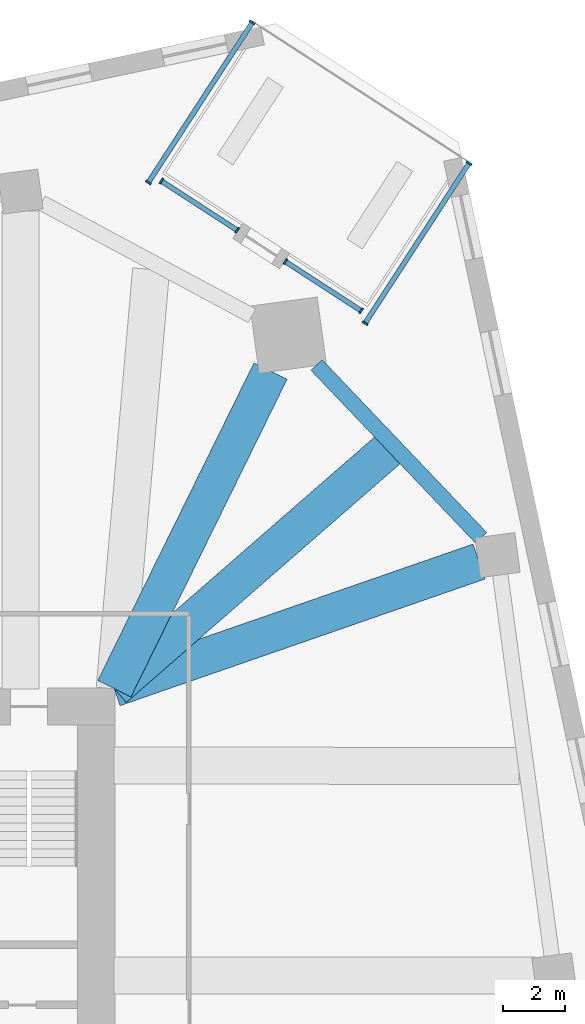
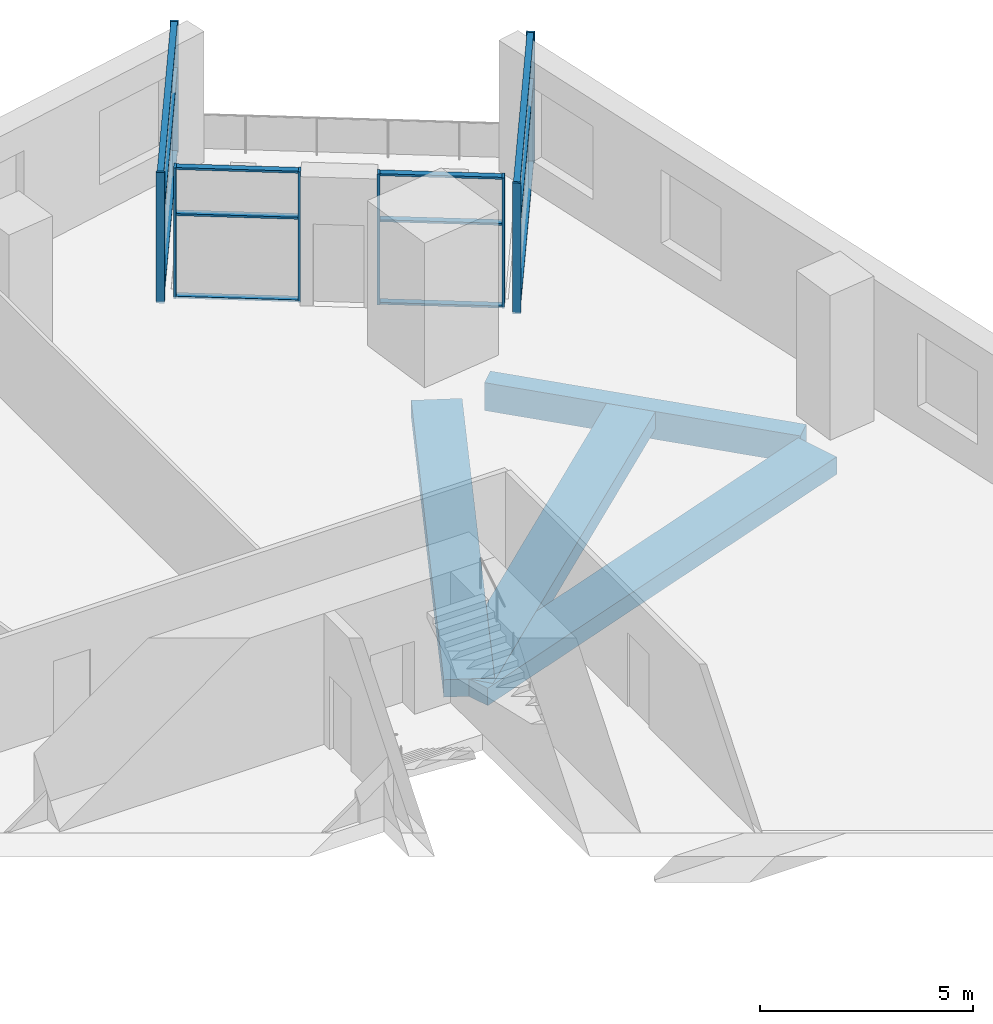
# One storey, part 2 of 10: 20 members, 4 beams, 4 elements without a shape of their own.
"""IFC4 building model written with IfcOpenShell, lengths in metres."""

from ifc_helpers import new_model, si_unit, direction, frame, origin, origin_2d, place, context, subcontext, project, spatial, rectangle, extrude, material, material_profile, profile_set, type_object, element, aggregate, save


model = new_model("IFC4")

# Units and contexts
model_context = context("Model", 3, precision=1e-05, world=origin(), true_north=direction((0.0, 1.0)))
body_context = subcontext(model_context, "Body", "Model", "MODEL_VIEW")
ifc_project = project(units=[si_unit("LENGTHUNIT", "METRE"), si_unit("AREAUNIT", "SQUARE_METRE"), si_unit("VOLUMEUNIT", "CUBIC_METRE"), si_unit("PLANEANGLEUNIT", "RADIAN"), si_unit("MASSUNIT", "GRAM", prefix="KILO")], contexts=[model_context])

# Site, building, storey
site_placement = place(None, origin())
site = spatial("IfcSite", under=ifc_project, at=site_placement, CompositionType="ELEMENT")
building_placement = place(site_placement, origin())
building = spatial("IfcBuilding", under=site, at=building_placement, Name="Dilmun Exchange Tower", CompositionType="ELEMENT")
storey_placement = place(building_placement, frame((0.0, 0.0, 68.10009765625)))
storey = spatial("IfcBuildingStorey", under=building, at=storey_placement, Name="L15", CompositionType="ELEMENT", Elevation=68.10009765625)

# Curtain wall, members
ifc_material_1 = material(Name="Anodised aluminium and clear glass", Category="aluminium")
curtain_wall_type = type_object("IfcCurtainWallType", Name="Garden corner glazing", PredefinedType="NOTDEFINED", material=ifc_material_1)
curtain_wall_1_placement = place(storey_placement, origin())
curtain_wall_1 = element("IfcCurtainWall", 1, at=curtain_wall_1_placement, inside=storey, type_object=curtain_wall_type, Name="Garden corner glazing run GC1.1", PredefinedType="NOTDEFINED")
ifc_material_2 = material(Name="Anodised aluminium", Category="aluminium")
ifc_material_profile_1 = material_profile(ifc_material_2, rectangle(XDim=0.199951171875, YDim=0.06005859375, at=origin_2d()), Name="AL 60x200")
ifc_profile_set_1 = profile_set([ifc_material_profile_1], Name="Anodised aluminium")
member_type_1 = type_object("IfcMemberType", Name="Garden corner glazing mullion 60 x 200", PredefinedType="MULLION", material=ifc_profile_set_1)
member_1_placement = place(storey_placement, frame((24.48583984375, 30.013427734375, 0.0), z_axis=(0.0, 0.0, 1.0), x_axis=(0.838667025641, -0.544644489647, 0.0)))
member_1 = element("IfcMember", 2, at=member_1_placement, type_object=member_type_1, Name="GC1.1 mullion 1", PredefinedType="MULLION", context=body_context, shape_type="SweptSolid", body=[
    extrude(rectangle(XDim=0.199951171875, YDim=0.06005859375, at=origin_2d()), origin(), (0.0, 0.0, 1.0), 3.75),
])
member_2_placement = place(storey_placement, frame((21.116455078125, 24.824951171875, 0.0), z_axis=(0.0, 0.0, 1.0), x_axis=(0.838667025641, -0.544644489647, 0.0)))
member_2 = element("IfcMember", 3, at=member_2_placement, type_object=member_type_1, Name="GC1.1 mullion 2", PredefinedType="MULLION", context=body_context, shape_type="SweptSolid", body=[
    extrude(rectangle(XDim=0.199951171875, YDim=0.06005859375, at=origin_2d()), origin(), (0.0, 0.0, 1.0), 3.75),
])

curtain_wall_2_placement = place(storey_placement, origin())
curtain_wall_2 = element("IfcCurtainWall", 4, at=curtain_wall_2_placement, inside=storey, type_object=curtain_wall_type, Name="Garden corner glazing run GC2.1", PredefinedType="NOTDEFINED")
member_3_placement = place(storey_placement, frame((20.98681640625, 25.231201171875, 0.0), z_axis=(0.0, 0.0, 1.0), x_axis=(-0.544630809498, -0.838675909601, 0.0)))
member_3 = element("IfcMember", 5, at=member_3_placement, type_object=member_type_1, Name="GC2.1 mullion 1", PredefinedType="MULLION", context=body_context, shape_type="SweptSolid", body=[
    extrude(rectangle(XDim=0.199951171875, YDim=0.06005859375, at=origin_2d()), origin(), (0.0, 0.0, 1.0), 3.75),
])
member_4_placement = place(storey_placement, frame((18.5302734375, 26.826416015625, 0.0), z_axis=(0.0, 0.0, 1.0), x_axis=(-0.544630809498, -0.838675909601, 0.0)))
member_4 = element("IfcMember", 6, at=member_4_placement, type_object=member_type_1, Name="GC2.1 mullion 2", PredefinedType="MULLION", context=body_context, shape_type="SweptSolid", body=[
    extrude(rectangle(XDim=0.199951171875, YDim=0.06005859375, at=origin_2d()), origin(), (0.0, 0.0, 1.0), 3.75),
])

curtain_wall_3_placement = place(storey_placement, origin())
curtain_wall_3 = element("IfcCurtainWall", 7, at=curtain_wall_3_placement, inside=storey, type_object=curtain_wall_type, Name="Garden corner glazing run GC2.3", PredefinedType="NOTDEFINED")
member_5_placement = place(storey_placement, frame((16.970458984375, 27.839599609375, 0.0), z_axis=(0.0, 0.0, 1.0), x_axis=(-0.544639059635, -0.838670551957, 0.0)))
member_5 = element("IfcMember", 8, at=member_5_placement, type_object=member_type_1, Name="GC2.3 mullion 1", PredefinedType="MULLION", context=body_context, shape_type="SweptSolid", body=[
    extrude(rectangle(XDim=0.199951171875, YDim=0.06005859375, at=origin_2d()), origin(), (0.0, 0.0, 1.0), 3.75),
])
member_6_placement = place(storey_placement, frame((14.513671875, 29.434814453125, 0.0), z_axis=(0.0, 0.0, 1.0), x_axis=(-0.544639059635, -0.838670551957, 0.0)))
member_6 = element("IfcMember", 9, at=member_6_placement, type_object=member_type_1, Name="GC2.3 mullion 2", PredefinedType="MULLION", context=body_context, shape_type="SweptSolid", body=[
    extrude(rectangle(XDim=0.199951171875, YDim=0.06005859375, at=origin_2d()), origin(), (0.0, 0.0, 1.0), 3.75),
])

curtain_wall_4_placement = place(storey_placement, origin())
curtain_wall_4 = element("IfcCurtainWall", 10, at=curtain_wall_4_placement, inside=storey, type_object=curtain_wall_type, Name="Garden corner glazing run GC3.1", PredefinedType="NOTDEFINED")
member_7_placement = place(storey_placement, frame((14.08984375, 29.387939453125, 0.0), z_axis=(0.0, 0.0, 1.0), x_axis=(-0.838671774431, 0.544637177185, 0.0)))
member_7 = element("IfcMember", 11, at=member_7_placement, type_object=member_type_1, Name="GC3.1 mullion 1", PredefinedType="MULLION", context=body_context, shape_type="SweptSolid", body=[
    extrude(rectangle(XDim=0.199951171875, YDim=0.06005859375, at=origin_2d()), origin(), (0.0, 0.0, 1.0), 3.75),
])
member_8_placement = place(storey_placement, frame((17.45947265625, 34.57666015625, 0.0), z_axis=(0.0, 0.0, 1.0), x_axis=(-0.838671774431, 0.544637177185, 0.0)))
member_8 = element("IfcMember", 12, at=member_8_placement, type_object=member_type_1, Name="GC3.1 mullion 2", PredefinedType="MULLION", context=body_context, shape_type="SweptSolid", body=[
    extrude(rectangle(XDim=0.199951171875, YDim=0.06005859375, at=origin_2d()), origin(), (0.0, 0.0, 1.0), 3.75),
])

# Member
ifc_material_profile_2 = material_profile(ifc_material_2, rectangle(XDim=0.159912109375, YDim=0.06005859375, at=origin_2d()), Name="AL 60x160")
ifc_profile_set_2 = profile_set([ifc_material_profile_2], Name="Anodised aluminium")
member_type_2 = type_object("IfcMemberType", Name="Garden corner glazing transom 60 x 160", PredefinedType="USERDEFINED", material=ifc_profile_set_2)
member_9_placement = place(storey_placement, frame((24.469482421875, 29.98828125, 0.02978515625), z_axis=(-0.544645123151, -0.838666614232, 0.0), x_axis=(0.838666614232, -0.544645123151, 0.0)))
member_9 = element("IfcMember", 13, at=member_9_placement, type_object=member_type_2, Name="GC1.1 transom 1.1", ObjectType="TRANSOM", PredefinedType="USERDEFINED", context=body_context, shape_type="SweptSolid", body=[
    extrude(rectangle(XDim=0.159912109375, YDim=0.06005859375, at=origin_2d()), origin(), (0.0, 0.0, 1.0), 6.126220703125),
])

member_10_placement = place(storey_placement, frame((24.469482421875, 29.98828125, 2.39990234375), z_axis=(-0.544645123151, -0.838666614232, 0.0), x_axis=(0.838666614232, -0.544645123151, 0.0)))
member_10 = element("IfcMember", 14, at=member_10_placement, type_object=member_type_2, Name="GC1.1 transom 1.2", ObjectType="TRANSOM", PredefinedType="USERDEFINED", context=body_context, shape_type="SweptSolid", body=[
    extrude(rectangle(XDim=0.159912109375, YDim=0.06005859375, at=origin_2d()), origin(), (0.0, 0.0, 1.0), 6.126220703125),
])

member_11_placement = place(storey_placement, frame((24.469482421875, 29.98828125, 3.719970703125), z_axis=(-0.544645123151, -0.838666614232, 0.0), x_axis=(0.838666614232, -0.544645123151, 0.0)))
member_11 = element("IfcMember", 15, at=member_11_placement, type_object=member_type_2, Name="GC1.1 transom 1.3", ObjectType="TRANSOM", PredefinedType="USERDEFINED", context=body_context, shape_type="SweptSolid", body=[
    extrude(rectangle(XDim=0.159912109375, YDim=0.06005859375, at=origin_2d()), origin(), (0.0, 0.0, 1.0), 6.126220703125),
])

aggregate(curtain_wall_1, [member_1, member_2, member_9, member_10, member_11])

member_12_placement = place(storey_placement, frame((20.961669921875, 25.24755859375, 0.02978515625), z_axis=(-0.838692381994, 0.544605442853, 0.0), x_axis=(-0.544605442853, -0.838692381994, 0.0)))
member_12 = element("IfcMember", 16, at=member_12_placement, type_object=member_type_2, Name="GC2.1 transom 1.1", ObjectType="TRANSOM", PredefinedType="USERDEFINED", context=body_context, shape_type="SweptSolid", body=[
    extrude(rectangle(XDim=0.159912109375, YDim=0.06005859375, at=origin_2d()), origin(), (0.0, 0.0, 1.0), 2.869140625),
])

member_13_placement = place(storey_placement, frame((20.961669921875, 25.24755859375, 2.39990234375), z_axis=(-0.838692381994, 0.544605442853, 0.0), x_axis=(-0.544605442853, -0.838692381994, 0.0)))
member_13 = element("IfcMember", 17, at=member_13_placement, type_object=member_type_2, Name="GC2.1 transom 1.2", ObjectType="TRANSOM", PredefinedType="USERDEFINED", context=body_context, shape_type="SweptSolid", body=[
    extrude(rectangle(XDim=0.159912109375, YDim=0.06005859375, at=origin_2d()), origin(), (0.0, 0.0, 1.0), 2.869140625),
])

member_14_placement = place(storey_placement, frame((20.961669921875, 25.24755859375, 3.719970703125), z_axis=(-0.838692381994, 0.544605442853, 0.0), x_axis=(-0.544605442853, -0.838692381994, 0.0)))
member_14 = element("IfcMember", 18, at=member_14_placement, type_object=member_type_2, Name="GC2.1 transom 1.3", ObjectType="TRANSOM", PredefinedType="USERDEFINED", context=body_context, shape_type="SweptSolid", body=[
    extrude(rectangle(XDim=0.159912109375, YDim=0.06005859375, at=origin_2d()), origin(), (0.0, 0.0, 1.0), 2.869140625),
])

aggregate(curtain_wall_2, [member_3, member_4, member_12, member_13, member_14])

member_15_placement = place(storey_placement, frame((16.945068359375, 27.85595703125, 0.02978515625), z_axis=(-0.838692381994, 0.544605442853, 0.0), x_axis=(-0.544605442853, -0.838692381994, 0.0)))
member_15 = element("IfcMember", 19, at=member_15_placement, type_object=member_type_2, Name="GC2.3 transom 1.1", ObjectType="TRANSOM", PredefinedType="USERDEFINED", context=body_context, shape_type="SweptSolid", body=[
    extrude(rectangle(XDim=0.159912109375, YDim=0.06005859375, at=origin_2d()), origin(), (0.0, 0.0, 1.0), 2.869140625),
])

member_16_placement = place(storey_placement, frame((16.945068359375, 27.85595703125, 2.39990234375), z_axis=(-0.838692381994, 0.544605442853, 0.0), x_axis=(-0.544605442853, -0.838692381994, 0.0)))
member_16 = element("IfcMember", 20, at=member_16_placement, type_object=member_type_2, Name="GC2.3 transom 1.2", ObjectType="TRANSOM", PredefinedType="USERDEFINED", context=body_context, shape_type="SweptSolid", body=[
    extrude(rectangle(XDim=0.159912109375, YDim=0.06005859375, at=origin_2d()), origin(), (0.0, 0.0, 1.0), 2.869140625),
])

member_17_placement = place(storey_placement, frame((16.945068359375, 27.85595703125, 3.719970703125), z_axis=(-0.838692381994, 0.544605442853, 0.0), x_axis=(-0.544605442853, -0.838692381994, 0.0)))
member_17 = element("IfcMember", 21, at=member_17_placement, type_object=member_type_2, Name="GC2.3 transom 1.3", ObjectType="TRANSOM", PredefinedType="USERDEFINED", context=body_context, shape_type="SweptSolid", body=[
    extrude(rectangle(XDim=0.159912109375, YDim=0.06005859375, at=origin_2d()), origin(), (0.0, 0.0, 1.0), 2.869140625),
])

aggregate(curtain_wall_3, [member_5, member_6, member_15, member_16, member_17])

member_18_placement = place(storey_placement, frame((14.106201171875, 29.413330078125, 0.02978515625), z_axis=(0.544673151983, 0.838648411141, 0.0), x_axis=(-0.838648411141, 0.544673151983, 0.0)))
member_18 = element("IfcMember", 22, at=member_18_placement, type_object=member_type_2, Name="GC3.1 transom 1.1", ObjectType="TRANSOM", PredefinedType="USERDEFINED", context=body_context, shape_type="SweptSolid", body=[
    extrude(rectangle(XDim=0.159912109375, YDim=0.06005859375, at=origin_2d()), origin(), (0.0, 0.0, 1.0), 6.12646484375),
])

member_19_placement = place(storey_placement, frame((14.106201171875, 29.413330078125, 2.39990234375), z_axis=(0.544673151983, 0.838648411141, 0.0), x_axis=(-0.838648411141, 0.544673151983, 0.0)))
member_19 = element("IfcMember", 23, at=member_19_placement, type_object=member_type_2, Name="GC3.1 transom 1.2", ObjectType="TRANSOM", PredefinedType="USERDEFINED", context=body_context, shape_type="SweptSolid", body=[
    extrude(rectangle(XDim=0.159912109375, YDim=0.06005859375, at=origin_2d()), origin(), (0.0, 0.0, 1.0), 6.12646484375),
])

member_20_placement = place(storey_placement, frame((14.106201171875, 29.413330078125, 3.719970703125), z_axis=(0.544673151983, 0.838648411141, 0.0), x_axis=(-0.838648411141, 0.544673151983, 0.0)))
member_20 = element("IfcMember", 24, at=member_20_placement, type_object=member_type_2, Name="GC3.1 transom 1.3", ObjectType="TRANSOM", PredefinedType="USERDEFINED", context=body_context, shape_type="SweptSolid", body=[
    extrude(rectangle(XDim=0.159912109375, YDim=0.06005859375, at=origin_2d()), origin(), (0.0, 0.0, 1.0), 6.12646484375),
])

aggregate(curtain_wall_4, [member_7, member_8, member_18, member_19, member_20])

# Beams
ifc_material_3 = material(Name="Concrete C40/50", Category="concrete")
ifc_material_profile_3 = material_profile(ifc_material_3, rectangle(XDim=1.199951171875, YDim=0.5, at=origin_2d()), Name="1200 x 500")
ifc_profile_set_3 = profile_set([ifc_material_profile_3], Name="Concrete C40/50")
beam_type_1 = type_object("IfcBeamType", Name="RC band beam 1200 x 500 C40/50", PredefinedType="BEAM", material=ifc_profile_set_3)
beam_1_placement = place(storey_placement, frame((18.049560546875, 23.272216796875, -0.7001953125), z_axis=(-0.44116009834, -0.897428419225, 0.0), x_axis=(0.897428419225, -0.44116009834, 0.0)))
element("IfcBeam", 25, at=beam_1_placement, inside=storey, type_object=beam_type_1, Name="Band beam 1", PredefinedType="BEAM", context=body_context, shape_type="SweptSolid", body=[
    extrude(rectangle(XDim=1.199951171875, YDim=0.5, at=origin_2d()), origin(), (0.0, 0.0, 1.0), 11.47314453125),
])
beam_2_placement = place(storey_placement, frame((24.81103515625, 17.098388671875, -0.7001953125), z_axis=(-0.94474023201, -0.327819910959, 0.0), x_axis=(0.327819910959, -0.94474023201, 0.0)))
element("IfcBeam", 26, at=beam_2_placement, inside=storey, type_object=beam_type_1, Name="Band beam 16", PredefinedType="BEAM", context=body_context, shape_type="SweptSolid", body=[
    extrude(rectangle(XDim=1.199951171875, YDim=0.5, at=origin_2d()), origin(), (0.0, 0.0, 1.0), 12.52880859375),
])
beam_3_placement = place(storey_placement, frame((21.85546875, 20.71826171875, -0.7001953125), z_axis=(-0.75384567582, -0.657051517803, 0.0), x_axis=(0.657051517803, -0.75384567582, 0.0)))
element("IfcBeam", 27, at=beam_3_placement, inside=storey, type_object=beam_type_1, Name="Band beam 32", PredefinedType="BEAM", context=body_context, shape_type="SweptSolid", body=[
    extrude(rectangle(XDim=1.199951171875, YDim=0.5, at=origin_2d()), origin(), (0.0, 0.0, 1.0), 11.77392578125),
])
ifc_material_profile_4 = material_profile(ifc_material_3, rectangle(XDim=0.5, YDim=0.800048828125, at=origin_2d()), Name="500 x 800")
ifc_profile_set_4 = profile_set([ifc_material_profile_4], Name="Concrete C40/50")
beam_type_2 = type_object("IfcBeamType", Name="RC ring beam 500 x 800 C40/50", PredefinedType="SPANDREL", material=ifc_profile_set_4)
beam_4_placement = place(storey_placement, frame((24.877197265625, 17.86865234375, -0.85009765625), z_axis=(-0.689624451134, 0.724167188154, 0.0), x_axis=(-0.724167188154, -0.689624451134, 0.0)))
element("IfcBeam", 28, at=beam_4_placement, inside=storey, type_object=beam_type_2, Name="Ring beam 16", PredefinedType="SPANDREL", context=body_context, shape_type="SweptSolid", body=[
    extrude(rectangle(XDim=0.5, YDim=0.800048828125, at=origin_2d()), origin(), (0.0, 0.0, 1.0), 7.7392578125),
])

save(model, "model.ifc")
